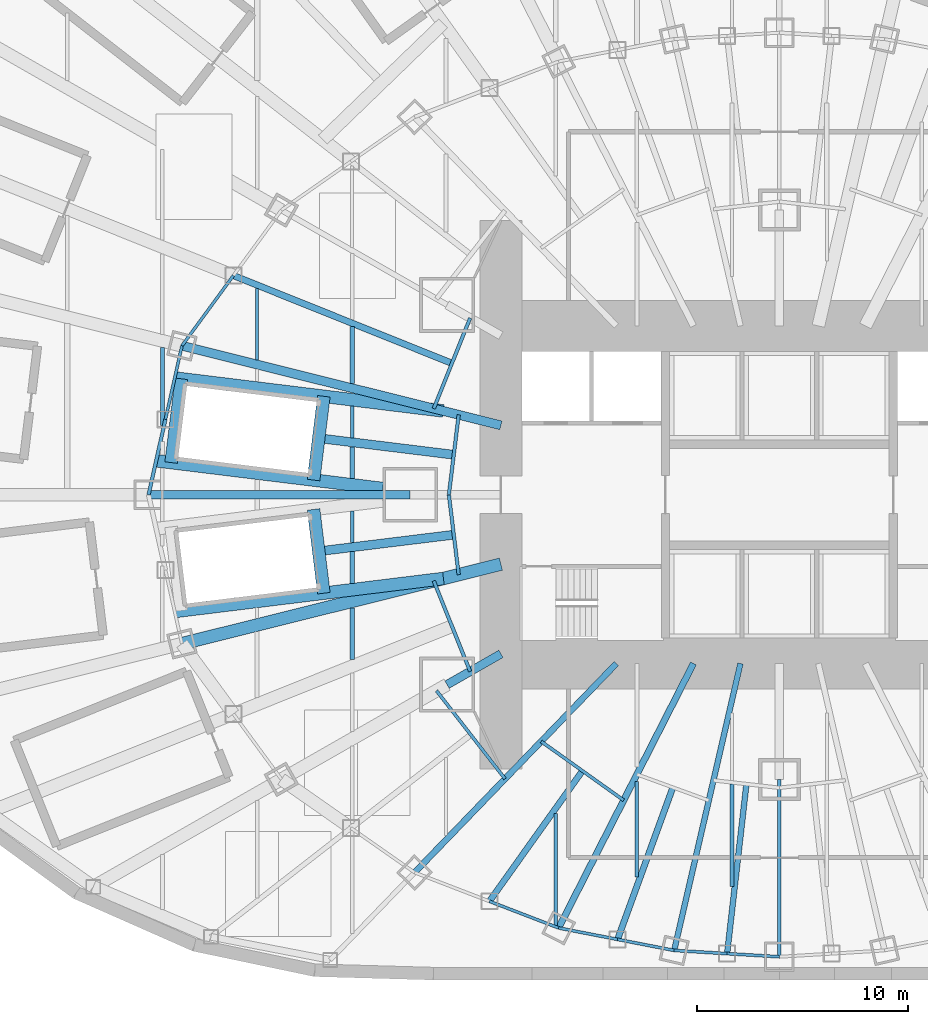
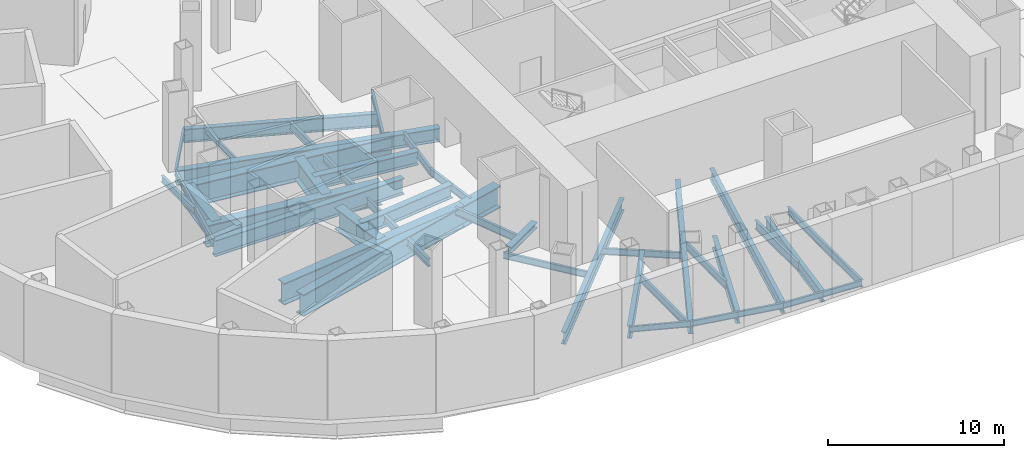
# One storey, part 3 of 19: 45 beams.
"""IFC4 building model written with IfcOpenShell, lengths in metres."""

from ifc_helpers import new_model, si_unit, direction, frame, origin, origin_2d, place, context, subcontext, project, spatial, i_section, extrude, material, material_profile, profile_set, type_object, element, save


model = new_model("IFC4")

# Units and contexts
model_context = context("Model", 3, precision=1e-05, world=origin(), true_north=direction((0.0, 1.0)))
body_context = subcontext(model_context, "Body", "Model", "MODEL_VIEW")
ifc_project = project(units=[si_unit("LENGTHUNIT", "METRE"), si_unit("AREAUNIT", "SQUARE_METRE"), si_unit("VOLUMEUNIT", "CUBIC_METRE"), si_unit("PLANEANGLEUNIT", "RADIAN"), si_unit("MASSUNIT", "GRAM", prefix="KILO")], contexts=[model_context])

# Site, building, storey
site_placement = place(None, origin())
site = spatial("IfcSite", under=ifc_project, at=site_placement, CompositionType="ELEMENT")
building_placement = place(site_placement, origin())
building = spatial("IfcBuilding", under=site, at=building_placement, Name="Lantaw Convention Tower", CompositionType="ELEMENT")
storey_placement = place(building_placement, frame((0.0, 0.0, -5.5)))
storey = spatial("IfcBuildingStorey", under=building, at=storey_placement, Name="B1", CompositionType="ELEMENT", Elevation=-5.5)

# Beams
ifc_material_1 = material(Name="Steel ASTM A992", Category="steel")
ifc_material_profile_1 = material_profile(ifc_material_1, i_section(OverallWidth=0.140380859375, OverallDepth=0.40380859375, WebThickness=0.007080078125, FlangeThickness=0.01123046875, FilletRadius=0.01025390625, at=origin_2d()), Name="W16X31")
ifc_profile_set_1 = profile_set([ifc_material_profile_1], Name="Steel ASTM A992")
beam_type_1 = type_object("IfcBeamType", Name="Beam E W16X31", PredefinedType="SPANDREL", material=ifc_profile_set_1)
beam_1_placement = place(storey_placement, frame((-25.8779296875, 10.388427734375, -0.501953125), z_axis=(-0.591255937291, -0.806483984105, 0.0), x_axis=(0.806483984105, -0.591255937291, 0.0)))
element("IfcBeam", 1, at=beam_1_placement, inside=storey, type_object=beam_type_1, Name="Edge beam 11", PredefinedType="SPANDREL", context=body_context, shape_type="SweptSolid", body=[
    extrude(i_section(OverallWidth=0.140380859375, OverallDepth=0.40380859375, WebThickness=0.007080078125, FlangeThickness=0.01123046875, FilletRadius=0.01025390625, at=origin_2d()), origin(), (0.0, 0.0, 1.0), 4.126708984375),
])
beam_2_placement = place(storey_placement, frame((-28.31787109375, 7.060302734375, -0.501953125), z_axis=(-0.218673326171, -0.97579812278, 0.0), x_axis=(0.97579812278, -0.218673326171, 0.0)))
element("IfcBeam", 2, at=beam_2_placement, inside=storey, type_object=beam_type_1, Name="Edge beam 12", PredefinedType="SPANDREL", context=body_context, shape_type="SweptSolid", body=[
    extrude(i_section(OverallWidth=0.140380859375, OverallDepth=0.40380859375, WebThickness=0.007080078125, FlangeThickness=0.01123046875, FilletRadius=0.01025390625, at=origin_2d()), origin(), (0.0, 0.0, 1.0), 3.57373046875),
])
beam_3_placement = place(storey_placement, frame((-13.745361328125, -19.270263671875, -0.501953125), z_axis=(0.933241815012, -0.359248820058, 0.0), x_axis=(0.359248820058, 0.933241815012, 0.0)))
element("IfcBeam", 3, at=beam_3_placement, inside=storey, type_object=beam_type_1, Name="Edge beam 16", PredefinedType="SPANDREL", context=body_context, shape_type="SweptSolid", body=[
    extrude(i_section(OverallWidth=0.140380859375, OverallDepth=0.40380859375, WebThickness=0.007080078125, FlangeThickness=0.01123046875, FilletRadius=0.01025390625, at=origin_2d()), origin(), (0.0, 0.0, 1.0), 3.517578125),
])
beam_4_placement = place(storey_placement, frame((-10.462646484375, -20.533935546875, -0.501953125), z_axis=(0.98163593748, -0.190763954266, 0.0), x_axis=(0.190763954266, 0.98163593748, 0.0)))
element("IfcBeam", 4, at=beam_4_placement, inside=storey, type_object=beam_type_1, Name="Edge beam 17", PredefinedType="SPANDREL", context=body_context, shape_type="SweptSolid", body=[
    extrude(i_section(OverallWidth=0.140380859375, OverallDepth=0.40380859375, WebThickness=0.007080078125, FlangeThickness=0.01123046875, FilletRadius=0.01025390625, at=origin_2d()), origin(), (0.0, 0.0, 1.0), 2.84375),
])
beam_5_placement = place(storey_placement, frame((-7.671142578125, -21.076416015625, -0.501953125), z_axis=(0.981637218105, -0.190757364289, 0.0), x_axis=(0.190757364289, 0.981637218105, 0.0)))
element("IfcBeam", 5, at=beam_5_placement, inside=storey, type_object=beam_type_1, Name="Edge beam 17", PredefinedType="SPANDREL", context=body_context, shape_type="SweptSolid", body=[
    extrude(i_section(OverallWidth=0.140380859375, OverallDepth=0.40380859375, WebThickness=0.007080078125, FlangeThickness=0.01123046875, FilletRadius=0.01025390625, at=origin_2d()), origin(), (0.0, 0.0, 1.0), 2.735107421875),
])
beam_6_placement = place(storey_placement, frame((-4.986328125, -21.59814453125, -0.501953125), z_axis=(0.998172405641, -0.060430527186, 0.0), x_axis=(0.060430527186, 0.998172405641, 0.0)))
element("IfcBeam", 6, at=beam_6_placement, inside=storey, type_object=beam_type_1, Name="Edge beam 18", PredefinedType="SPANDREL", context=body_context, shape_type="SweptSolid", body=[
    extrude(i_section(OverallWidth=0.140380859375, OverallDepth=0.40380859375, WebThickness=0.007080078125, FlangeThickness=0.01123046875, FilletRadius=0.01025390625, at=origin_2d()), origin(), (0.0, 0.0, 1.0), 2.512939453125),
])
beam_7_placement = place(storey_placement, frame((-2.47802734375, -21.75, -0.501953125), z_axis=(0.998175328335, -0.060382231685, 0.0), x_axis=(0.060382231685, 0.998175328335, 0.0)))
element("IfcBeam", 7, at=beam_7_placement, inside=storey, type_object=beam_type_1, Name="Edge beam 18", PredefinedType="SPANDREL", context=body_context, shape_type="SweptSolid", body=[
    extrude(i_section(OverallWidth=0.140380859375, OverallDepth=0.40380859375, WebThickness=0.007080078125, FlangeThickness=0.01123046875, FilletRadius=0.01025390625, at=origin_2d()), origin(), (0.0, 0.0, 1.0), 2.482666015625),
])
ifc_material_profile_2 = material_profile(ifc_material_1, i_section(OverallWidth=0.165771484375, OverallDepth=0.5283203125, WebThickness=0.009765625, FlangeThickness=0.013671875, FilletRadius=0.012939453125, at=origin_2d()), Name="W21X50")
ifc_profile_set_2 = profile_set([ifc_material_profile_2], Name="Steel ASTM A992")
beam_type_2 = type_object("IfcBeamType", Name="Beam E W21X50", PredefinedType="SPANDREL", material=ifc_profile_set_2)
beam_8_placement = place(storey_placement, frame((-29.099365234375, 3.572998046875, -0.564208984375), z_axis=(-0.218631550323, -0.975807483679, 0.0), x_axis=(0.975807483679, -0.218631550323, 0.0)))
element("IfcBeam", 8, at=beam_8_placement, inside=storey, type_object=beam_type_2, Name="Edge beam 12", PredefinedType="SPANDREL", context=body_context, shape_type="SweptSolid", body=[
    extrude(i_section(OverallWidth=0.165771484375, OverallDepth=0.5283203125, WebThickness=0.009765625, FlangeThickness=0.013671875, FilletRadius=0.012939453125, at=origin_2d()), origin(), (0.0, 0.0, 1.0), 3.66162109375),
])
ifc_material_2 = material(Name="Steel ASTM A572 Grade 50", Category="steel")
ifc_material_profile_3 = material_profile(ifc_material_2, i_section(OverallWidth=0.60009765625, OverallDepth=1.5, WebThickness=0.02490234375, FlangeThickness=0.06005859375, at=origin_2d()), Name="PG1500X600X25X60")
ifc_profile_set_3 = profile_set([ifc_material_profile_3], Name="Steel ASTM A572 Grade 50")
beam_type_3 = type_object("IfcBeamType", Name="Beam G PG1500X600X25X60", PredefinedType="BEAM", material=ifc_profile_set_3)
beam_9_placement = place(storey_placement, frame((-13.199951171875, -3.291015625, -1.050048828125), z_axis=(-0.970296233567, -0.241919860957, 0.0), x_axis=(0.241919860957, -0.970296233567, 0.0)))
element("IfcBeam", 9, at=beam_9_placement, inside=storey, type_object=beam_type_3, Name="Floor girder on ray 14", PredefinedType="BEAM", context=body_context, shape_type="SweptSolid", body=[
    extrude(i_section(OverallWidth=0.60009765625, OverallDepth=1.5, WebThickness=0.02490234375, FlangeThickness=0.06005859375, at=origin_2d()), origin(), (0.0, 0.0, 1.0), 15.580810546875),
])
ifc_material_profile_4 = material_profile(ifc_material_1, i_section(OverallWidth=0.1650390625, OverallDepth=0.52587890625, WebThickness=0.0087890625, FlangeThickness=0.011474609375, FilletRadius=0.0126953125, at=origin_2d()), Name="W21X44")
ifc_profile_set_4 = profile_set([ifc_material_profile_4], Name="Steel ASTM A992")
beam_type_4 = type_object("IfcBeamType", Name="Beam G W21X44", PredefinedType="BEAM", material=ifc_profile_set_4)
beam_10_placement = place(storey_placement, frame((0.0, -13.5, -0.56298828125), z_axis=(0.0, -1.0, 0.0), x_axis=(1.0, 0.0, 0.0)))
element("IfcBeam", 10, at=beam_10_placement, inside=storey, type_object=beam_type_4, Name="Floor girder on ray 19", PredefinedType="BEAM", context=body_context, shape_type="SweptSolid", body=[
    extrude(i_section(OverallWidth=0.1650390625, OverallDepth=0.52587890625, WebThickness=0.0087890625, FlangeThickness=0.011474609375, FilletRadius=0.0126953125, at=origin_2d()), origin(), (0.0, 0.0, 1.0), 8.39990234375),
])
ifc_material_profile_5 = material_profile(ifc_material_1, i_section(OverallWidth=0.2666015625, OverallDepth=0.76953125, WebThickness=0.015625, FlangeThickness=0.025390625, FilletRadius=0.0126953125, at=origin_2d()), Name="W30X132")
ifc_profile_set_5 = profile_set([ifc_material_profile_5], Name="Steel ASTM A992")
beam_type_5 = type_object("IfcBeamType", Name="Beam G W30X132", PredefinedType="BEAM", material=ifc_profile_set_5)
beam_11_placement = place(storey_placement, frame((-1.846923828125, -8.0, -0.684814453125), z_axis=(-0.224952773175, -0.97436966796, 0.0), x_axis=(0.97436966796, -0.224952773175, 0.0)))
element("IfcBeam", 11, at=beam_11_placement, inside=storey, type_object=beam_type_5, Name="Floor girder on ray 18", PredefinedType="BEAM", context=body_context, shape_type="SweptSolid", body=[
    extrude(i_section(OverallWidth=0.2666015625, OverallDepth=0.76953125, WebThickness=0.015625, FlangeThickness=0.025390625, FilletRadius=0.0126953125, at=origin_2d()), origin(), (0.0, 0.0, 1.0), 13.955810546875),
])
beam_12_placement = place(storey_placement, frame((-1.5625, -13.713134765625, -0.684814453125), z_axis=(-0.113183957156, -0.993574049501, 0.0), x_axis=(0.993574049501, -0.113183957156, 0.0)))
element("IfcBeam", 12, at=beam_12_placement, inside=storey, type_object=beam_type_5, Name="Floor girder on bisector 18", PredefinedType="BEAM", context=body_context, shape_type="SweptSolid", body=[
    extrude(i_section(OverallWidth=0.2666015625, OverallDepth=0.76953125, WebThickness=0.015625, FlangeThickness=0.025390625, FilletRadius=0.0126953125, at=origin_2d()), origin(), (0.0, 0.0, 1.0), 8.0888671875),
])
ifc_material_profile_6 = material_profile(ifc_material_1, i_section(OverallWidth=0.2919921875, OverallDepth=0.845703125, WebThickness=0.015380859375, FlangeThickness=0.0244140625, FilletRadius=0.01513671875, at=origin_2d()), Name="W33X141")
ifc_profile_set_6 = profile_set([ifc_material_profile_6], Name="Steel ASTM A992")
beam_type_6 = type_object("IfcBeamType", Name="Beam G W33X141", PredefinedType="BEAM", material=ifc_profile_set_6)
beam_13_placement = place(storey_placement, frame((-7.7255859375, -8.0, -0.722900390625), z_axis=(-0.694649884291, -0.719347995239, 0.0), x_axis=(0.719347995239, -0.694649884291, 0.0)))
element("IfcBeam", 13, at=beam_13_placement, inside=storey, type_object=beam_type_6, Name="Floor girder on ray 16", PredefinedType="BEAM", context=body_context, shape_type="SweptSolid", body=[
    extrude(i_section(OverallWidth=0.2919921875, OverallDepth=0.845703125, WebThickness=0.015380859375, FlangeThickness=0.0244140625, FilletRadius=0.01513671875, at=origin_2d()), origin(), (0.0, 0.0, 1.0), 13.769775390625),
])
beam_14_placement = place(storey_placement, frame((-9.335693359375, -13.088134765625, -0.722900390625), z_axis=(-0.580702805158, -0.814115625745, 0.0), x_axis=(0.814115625745, -0.580702805158, 0.0)))
element("IfcBeam", 14, at=beam_14_placement, inside=storey, type_object=beam_type_6, Name="Floor girder on bisector 16", PredefinedType="BEAM", context=body_context, shape_type="SweptSolid", body=[
    extrude(i_section(OverallWidth=0.2919921875, OverallDepth=0.845703125, WebThickness=0.015380859375, FlangeThickness=0.0244140625, FilletRadius=0.01513671875, at=origin_2d()), origin(), (0.0, 0.0, 1.0), 7.59375),
])
beam_15_placement = place(storey_placement, frame((-5.04931640625, -13.873046875, -0.722900390625), z_axis=(-0.342021781151, -0.939692024664, 0.0), x_axis=(0.939692024664, -0.342021781151, 0.0)))
element("IfcBeam", 15, at=beam_15_placement, inside=storey, type_object=beam_type_6, Name="Floor girder on bisector 17", PredefinedType="BEAM", context=body_context, shape_type="SweptSolid", body=[
    extrude(i_section(OverallWidth=0.2919921875, OverallDepth=0.845703125, WebThickness=0.015380859375, FlangeThickness=0.0244140625, FilletRadius=0.01513671875, at=origin_2d()), origin(), (0.0, 0.0, 1.0), 7.665771484375),
])
ifc_material_profile_7 = material_profile(ifc_material_1, i_section(OverallWidth=0.307373046875, OverallDepth=0.922119140625, WebThickness=0.018310546875, FlangeThickness=0.030029296875, FilletRadius=0.0126953125, at=origin_2d()), Name="W36X182")
ifc_profile_set_7 = profile_set([ifc_material_profile_7], Name="Steel ASTM A992")
beam_type_7 = type_object("IfcBeamType", Name="Beam G W36X182", PredefinedType="BEAM", material=ifc_profile_set_7)
beam_16_placement = place(storey_placement, frame((-4.076171875, -8.0, -0.760986328125), z_axis=(-0.453997016122, -0.891003203896, 0.0), x_axis=(0.891003203896, -0.453997016122, 0.0)))
element("IfcBeam", 16, at=beam_16_placement, inside=storey, type_object=beam_type_7, Name="Floor girder on ray 17", PredefinedType="BEAM", context=body_context, shape_type="SweptSolid", body=[
    extrude(i_section(OverallWidth=0.307373046875, OverallDepth=0.922119140625, WebThickness=0.018310546875, FlangeThickness=0.030029296875, FilletRadius=0.0126953125, at=origin_2d()), origin(), (0.0, 0.0, 1.0), 14.067138671875),
])
ifc_material_profile_8 = material_profile(ifc_material_1, i_section(OverallWidth=0.307373046875, OverallDepth=0.9423828125, WebThickness=0.022216796875, FlangeThickness=0.039794921875, FilletRadius=0.0126953125, at=origin_2d()), Name="W36X232")
ifc_profile_set_8 = profile_set([ifc_material_profile_8], Name="Steel ASTM A992")
beam_type_8 = type_object("IfcBeamType", Name="Beam G W36X232", PredefinedType="BEAM", material=ifc_profile_set_8)
beam_17_placement = place(storey_placement, frame((-15.52001953125, 6.23046875, -0.771240234375), z_axis=(-0.928018900171, 0.372533113864, 0.0), x_axis=(-0.372533113864, -0.928018900171, 0.0)))
element("IfcBeam", 17, at=beam_17_placement, inside=storey, type_object=beam_type_8, Name="Floor girder on bisector 11", PredefinedType="BEAM", context=body_context, shape_type="SweptSolid", body=[
    extrude(i_section(OverallWidth=0.307373046875, OverallDepth=0.9423828125, WebThickness=0.022216796875, FlangeThickness=0.039794921875, FilletRadius=0.0126953125, at=origin_2d()), origin(), (0.0, 0.0, 1.0), 11.161376953125),
])
ifc_material_profile_9 = material_profile(ifc_material_1, i_section(OverallWidth=0.421630859375, OverallDepth=0.937255859375, WebThickness=0.0224609375, FlangeThickness=0.039794921875, FilletRadius=0.02001953125, at=origin_2d()), Name="W36X282")
ifc_profile_set_9 = profile_set([ifc_material_profile_9], Name="Steel ASTM A992")
beam_type_9 = type_object("IfcBeamType", Name="Beam G W36X282", PredefinedType="BEAM", material=ifc_profile_set_9)
for number, where, z_axis, x_axis, name in (
    (18, (-15.433349609375, 1.89501953125, -0.7685546875), (-0.992546266594, 0.121868407185, 0.0), (-0.121868407185, -0.992546266594, 0.0), "Floor girder on bisector 12"),
    (19, (-15.433349609375, -1.89501953125, -0.7685546875), (-0.992546266594, -0.121868407185, 0.0), (0.121868407185, -0.992546266594, 0.0), "Floor girder on bisector 13"),
):
    element("IfcBeam", number, at=place(storey_placement, frame(where, z_axis=z_axis, x_axis=x_axis)), inside=storey, type_object=beam_type_9, Name=name, PredefinedType="BEAM", context=body_context, shape_type="SweptSolid", body=[
        extrude(i_section(OverallWidth=0.421630859375, OverallDepth=0.937255859375, WebThickness=0.0224609375, FlangeThickness=0.039794921875, FilletRadius=0.02001953125, at=origin_2d()), origin(), (0.0, 0.0, 1.0), 6.45068359375),
    ])
ifc_material_profile_10 = material_profile(ifc_material_1, i_section(OverallWidth=0.424072265625, OverallDepth=0.947509765625, WebThickness=0.02392578125, FlangeThickness=0.042724609375, FilletRadius=0.012451171875, at=origin_2d()), Name="W36X302")
ifc_profile_set_10 = profile_set([ifc_material_profile_10], Name="Steel ASTM A992")
beam_type_10 = type_object("IfcBeamType", Name="Beam G W36X302", PredefinedType="BEAM", material=ifc_profile_set_10)
beam_18_placement = place(storey_placement, frame((-13.199951171875, 3.291015625, -0.773681640625), z_axis=(-0.970296233567, 0.241919860957, 0.0), x_axis=(-0.241919860957, -0.970296233567, 0.0)))
element("IfcBeam", 20, at=beam_18_placement, inside=storey, type_object=beam_type_10, Name="Floor girder on ray 12", PredefinedType="BEAM", context=body_context, shape_type="SweptSolid", body=[
    extrude(i_section(OverallWidth=0.424072265625, OverallDepth=0.947509765625, WebThickness=0.02392578125, FlangeThickness=0.042724609375, FilletRadius=0.012451171875, at=origin_2d()), origin(), (0.0, 0.0, 1.0), 15.580810546875),
])
ifc_material_profile_11 = material_profile(ifc_material_1, i_section(OverallWidth=0.40380859375, OverallDepth=1.11767578125, WebThickness=0.026123046875, FlangeThickness=0.044921875, FilletRadius=0.02001953125, at=origin_2d()), Name="W44X335")
ifc_profile_set_11 = profile_set([ifc_material_profile_11], Name="Steel ASTM A992")
beam_type_11 = type_object("IfcBeamType", Name="Beam G W44X335", PredefinedType="BEAM", material=ifc_profile_set_11)
beam_19_placement = place(storey_placement, frame((-17.5, 0.0, -0.85888671875), z_axis=(-1.0, 0.0, 0.0), x_axis=(0.0, -1.0, 0.0)))
element("IfcBeam", 21, at=beam_19_placement, inside=storey, type_object=beam_type_11, Name="Floor girder on ray 13", PredefinedType="BEAM", context=body_context, shape_type="SweptSolid", body=[
    extrude(i_section(OverallWidth=0.40380859375, OverallDepth=1.11767578125, WebThickness=0.026123046875, FlangeThickness=0.044921875, FilletRadius=0.02001953125, at=origin_2d()), origin(), (0.0, 0.0, 1.0), 12.39990234375),
])
ifc_material_profile_12 = material_profile(ifc_material_1, i_section(OverallWidth=0.40380859375, OverallDepth=0.406494140625, WebThickness=0.027099609375, FlangeThickness=0.043701171875, FilletRadius=0.01513671875, at=origin_2d()), Name="W14X233")
ifc_profile_set_12 = profile_set([ifc_material_profile_12], Name="Steel ASTM A992")
beam_type_12 = type_object("IfcBeamType", Name="Beam GM W14X233", PredefinedType="BEAM", material=ifc_profile_set_12)
beam_20_placement = place(storey_placement, frame((-13.199951171875, -7.54296875, -0.503173828125), z_axis=(-0.868263603466, -0.496103129295, 0.0), x_axis=(0.496103129295, -0.868263603466, 0.0)))
element("IfcBeam", 22, at=beam_20_placement, inside=storey, type_object=beam_type_12, Name="Core link beam on ray 15", PredefinedType="BEAM", context=body_context, shape_type="SweptSolid", body=[
    extrude(i_section(OverallWidth=0.40380859375, OverallDepth=0.406494140625, WebThickness=0.027099609375, FlangeThickness=0.043701171875, FilletRadius=0.01513671875, at=origin_2d()), origin(), (0.0, 0.0, 1.0), 2.93701171875),
])
ifc_material_profile_13 = material_profile(ifc_material_1, i_section(OverallWidth=0.15234375, OverallDepth=0.449462890625, WebThickness=0.007568359375, FlangeThickness=0.0107421875, FilletRadius=0.01025390625, at=origin_2d()), Name="W18X35")
ifc_profile_set_13 = profile_set([ifc_material_profile_13], Name="Steel ASTM A992")
beam_type_13 = type_object("IfcBeamType", Name="Beam HC W18X35", PredefinedType="BEAM", material=ifc_profile_set_13)
beam_21_placement = place(storey_placement, frame((-16.2529296875, -9.287353515625, -0.52490234375), z_axis=(0.613915067401, -0.789372085913, 0.0), x_axis=(0.789372085913, 0.613915067401, 0.0)))
element("IfcBeam", 23, at=beam_21_placement, inside=storey, type_object=beam_type_13, Name="Collar beam on bisector 15", PredefinedType="BEAM", context=body_context, shape_type="SweptSolid", body=[
    extrude(i_section(OverallWidth=0.15234375, OverallDepth=0.449462890625, WebThickness=0.007568359375, FlangeThickness=0.0107421875, FilletRadius=0.01025390625, at=origin_2d()), origin(), (0.0, 0.0, 1.0), 5.293212890625),
])
beam_22_placement = place(storey_placement, frame((-11.291748046875, -11.69287109375, -0.52490234375), z_axis=(0.814110909588, -0.580709416912, 0.0), x_axis=(0.580709416912, 0.814110909588, 0.0)))
element("IfcBeam", 24, at=beam_22_placement, inside=storey, type_object=beam_type_13, Name="Collar beam on bisector 16", PredefinedType="BEAM", context=body_context, shape_type="SweptSolid", body=[
    extrude(i_section(OverallWidth=0.15234375, OverallDepth=0.449462890625, WebThickness=0.007568359375, FlangeThickness=0.0107421875, FilletRadius=0.01025390625, at=origin_2d()), origin(), (0.0, 0.0, 1.0), 4.805419921875),
])
ifc_material_profile_14 = material_profile(ifc_material_1, i_section(OverallWidth=0.1650390625, OverallDepth=0.52587890625, WebThickness=0.0087890625, FlangeThickness=0.011474609375, FilletRadius=0.0126953125, at=origin_2d()), Name="W21X44")
ifc_profile_set_14 = profile_set([ifc_material_profile_14], Name="Steel ASTM A992")
beam_type_14 = type_object("IfcBeamType", Name="Beam HC W21X44", PredefinedType="BEAM", material=ifc_profile_set_14)
beam_23_placement = place(storey_placement, frame((-14.658447265625, 8.376220703125, -0.56298828125), z_axis=(-0.372591792929, -0.927995342576, 0.0), x_axis=(0.927995342576, -0.372591792929, 0.0)))
element("IfcBeam", 25, at=beam_23_placement, inside=storey, type_object=beam_type_14, Name="Collar beam on bisector 11", PredefinedType="BEAM", context=body_context, shape_type="SweptSolid", body=[
    extrude(i_section(OverallWidth=0.1650390625, OverallDepth=0.52587890625, WebThickness=0.0087890625, FlangeThickness=0.011474609375, FilletRadius=0.0126953125, at=origin_2d()), origin(), (0.0, 0.0, 1.0), 4.624755859375),
])
for number, where, z_axis, x_axis, name in (
    (26, (-15.200439453125, 3.7900390625, -0.56298828125), (-0.121925556924, -0.992539247873, 0.0), (0.992539247873, -0.121925556924, 0.0), "Collar beam on bisector 12"),
    (27, (-15.666015625, 0.0, -0.56298828125), (0.121925556924, -0.992539247873, 0.0), (0.992539247873, 0.121925556924, 0.0), "Collar beam on bisector 13"),
):
    element("IfcBeam", number, at=place(storey_placement, frame(where, z_axis=z_axis, x_axis=x_axis)), inside=storey, type_object=beam_type_14, Name=name, PredefinedType="BEAM", context=body_context, shape_type="SweptSolid", body=[
        extrude(i_section(OverallWidth=0.1650390625, OverallDepth=0.52587890625, WebThickness=0.0087890625, FlangeThickness=0.011474609375, FilletRadius=0.0126953125, at=origin_2d()), origin(), (0.0, 0.0, 1.0), 3.818603515625),
    ])
beam_24_placement = place(storey_placement, frame((-16.381591796875, -4.08447265625, -0.56298828125), z_axis=(0.372591792929, -0.927995342576, 0.0), x_axis=(0.927995342576, 0.372591792929, 0.0)))
element("IfcBeam", 28, at=beam_24_placement, inside=storey, type_object=beam_type_14, Name="Collar beam on bisector 14", PredefinedType="BEAM", context=body_context, shape_type="SweptSolid", body=[
    extrude(i_section(OverallWidth=0.1650390625, OverallDepth=0.52587890625, WebThickness=0.0087890625, FlangeThickness=0.011474609375, FilletRadius=0.0126953125, at=origin_2d()), origin(), (0.0, 0.0, 1.0), 4.624755859375),
])
ifc_material_profile_15 = material_profile(ifc_material_1, i_section(OverallWidth=0.140380859375, OverallDepth=0.40380859375, WebThickness=0.007080078125, FlangeThickness=0.01123046875, FilletRadius=0.01025390625, at=origin_2d()), Name="W16X31")
ifc_profile_set_15 = profile_set([ifc_material_profile_15], Name="Steel ASTM A992")
beam_type_15 = type_object("IfcBeamType", Name="Beam J W16X31", PredefinedType="JOIST", material=ifc_profile_set_15)
beam_25_placement = place(storey_placement, frame((-24.75, 6.389404296875, -0.501953125), z_axis=(0.0, 1.0, 0.0), x_axis=(-1.0, 0.0, 0.0)))
element("IfcBeam", 29, at=beam_25_placement, inside=storey, type_object=beam_type_15, Name="Floor joist", PredefinedType="JOIST", context=body_context, shape_type="SweptSolid", body=[
    extrude(i_section(OverallWidth=0.140380859375, OverallDepth=0.40380859375, WebThickness=0.007080078125, FlangeThickness=0.01123046875, FilletRadius=0.01025390625, at=origin_2d()), origin(), (0.0, 0.0, 1.0), 3.380615234375),
])
ifc_material_profile_16 = material_profile(ifc_material_1, i_section(OverallWidth=0.1904296875, OverallDepth=0.457275390625, WebThickness=0.009033203125, FlangeThickness=0.014404296875, FilletRadius=0.01025390625, at=origin_2d()), Name="W18X50")
ifc_profile_set_16 = profile_set([ifc_material_profile_16], Name="Steel ASTM A992")
beam_type_16 = type_object("IfcBeamType", Name="Beam J W18X50", PredefinedType="JOIST", material=ifc_profile_set_16)
beam_26_placement = place(storey_placement, frame((-29.25, 3.27978515625, -0.528564453125), z_axis=(0.0, 1.0, 0.0), x_axis=(-1.0, 0.0, 0.0)))
element("IfcBeam", 30, at=beam_26_placement, inside=storey, type_object=beam_type_16, Name="Floor joist", PredefinedType="JOIST", context=body_context, shape_type="SweptSolid", body=[
    extrude(i_section(OverallWidth=0.1904296875, OverallDepth=0.457275390625, WebThickness=0.009033203125, FlangeThickness=0.014404296875, FilletRadius=0.01025390625, at=origin_2d()), origin(), (0.0, 0.0, 1.0), 3.703857421875),
])
ifc_material_profile_17 = material_profile(ifc_material_1, i_section(OverallWidth=0.1650390625, OverallDepth=0.52587890625, WebThickness=0.0087890625, FlangeThickness=0.011474609375, FilletRadius=0.0126953125, at=origin_2d()), Name="W21X44")
ifc_profile_set_17 = profile_set([ifc_material_profile_17], Name="Steel ASTM A992")
beam_type_17 = type_object("IfcBeamType", Name="Beam J W21X44", PredefinedType="JOIST", material=ifc_profile_set_17)
beam_27_placement = place(storey_placement, frame((-20.25, 2.69873046875, -0.56298828125), z_axis=(0.0, 1.0, 0.0), x_axis=(-1.0, 0.0, 0.0)))
element("IfcBeam", 31, at=beam_27_placement, inside=storey, type_object=beam_type_17, Name="Floor joist", PredefinedType="JOIST", context=body_context, shape_type="SweptSolid", body=[
    extrude(i_section(OverallWidth=0.1650390625, OverallDepth=0.52587890625, WebThickness=0.0087890625, FlangeThickness=0.011474609375, FilletRadius=0.0126953125, at=origin_2d()), origin(), (0.0, 0.0, 1.0), 1.50048828125),
])
beam_28_placement = place(storey_placement, frame((-6.75, -18.118408203125, -0.56298828125), z_axis=(0.0, 1.0, 0.0), x_axis=(-1.0, 0.0, 0.0)))
element("IfcBeam", 32, at=beam_28_placement, inside=storey, type_object=beam_type_17, Name="Floor joist", PredefinedType="JOIST", context=body_context, shape_type="SweptSolid", body=[
    extrude(i_section(OverallWidth=0.1650390625, OverallDepth=0.52587890625, WebThickness=0.0087890625, FlangeThickness=0.011474609375, FilletRadius=0.0126953125, at=origin_2d()), origin(), (0.0, 0.0, 1.0), 4.52587890625),
])
ifc_material_profile_18 = material_profile(ifc_material_1, i_section(OverallWidth=0.165771484375, OverallDepth=0.5283203125, WebThickness=0.009765625, FlangeThickness=0.013671875, FilletRadius=0.012939453125, at=origin_2d()), Name="W21X50")
ifc_profile_set_18 = profile_set([ifc_material_profile_18], Name="Steel ASTM A992")
beam_type_18 = type_object("IfcBeamType", Name="Beam J W21X50", PredefinedType="JOIST", material=ifc_profile_set_18)
beam_29_placement = place(storey_placement, frame((-10.60009765625, -20.40576171875, -0.564208984375), z_axis=(0.0, 1.0, 0.0), x_axis=(-1.0, 0.0, 0.0)))
element("IfcBeam", 33, at=beam_29_placement, inside=storey, type_object=beam_type_18, Name="Floor joist", PredefinedType="JOIST", context=body_context, shape_type="SweptSolid", body=[
    extrude(i_section(OverallWidth=0.165771484375, OverallDepth=0.5283203125, WebThickness=0.009765625, FlangeThickness=0.013671875, FilletRadius=0.012939453125, at=origin_2d()), origin(), (0.0, 0.0, 1.0), 5.293701171875),
])
ifc_material_profile_19 = material_profile(ifc_material_1, i_section(OverallWidth=0.16650390625, OverallDepth=0.535888671875, WebThickness=0.01025390625, FlangeThickness=0.0166015625, FilletRadius=0.0126953125, at=origin_2d()), Name="W21X57")
ifc_profile_set_19 = profile_set([ifc_material_profile_19], Name="Steel ASTM A992")
beam_type_19 = type_object("IfcBeamType", Name="Beam J W21X57", PredefinedType="JOIST", material=ifc_profile_set_19)
beam_30_placement = place(storey_placement, frame((-20.25, -2.27392578125, -0.56787109375), z_axis=(0.0, 1.0, 0.0), x_axis=(-1.0, 0.0, 0.0)))
element("IfcBeam", 34, at=beam_30_placement, inside=storey, type_object=beam_type_19, Name="Floor joist", PredefinedType="JOIST", context=body_context, shape_type="SweptSolid", body=[
    extrude(i_section(OverallWidth=0.16650390625, OverallDepth=0.535888671875, WebThickness=0.01025390625, FlangeThickness=0.0166015625, FilletRadius=0.0126953125, at=origin_2d()), origin(), (0.0, 0.0, 1.0), 1.500244140625),
])
ifc_material_profile_20 = material_profile(ifc_material_1, i_section(OverallWidth=0.2099609375, OverallDepth=0.535888671875, WebThickness=0.010986328125, FlangeThickness=0.017333984375, FilletRadius=0.012939453125, at=origin_2d()), Name="W21X68")
ifc_profile_set_20 = profile_set([ifc_material_profile_20], Name="Steel ASTM A992")
beam_type_20 = type_object("IfcBeamType", Name="Beam J W21X68", PredefinedType="JOIST", material=ifc_profile_set_20)
beam_31_placement = place(storey_placement, frame((-20.25, -7.805908203125, -0.56787109375), z_axis=(0.0, 1.0, 0.0), x_axis=(-1.0, 0.0, 0.0)))
element("IfcBeam", 35, at=beam_31_placement, inside=storey, type_object=beam_type_20, Name="Floor joist", PredefinedType="JOIST", context=body_context, shape_type="SweptSolid", body=[
    extrude(i_section(OverallWidth=0.2099609375, OverallDepth=0.535888671875, WebThickness=0.010986328125, FlangeThickness=0.017333984375, FilletRadius=0.012939453125, at=origin_2d()), origin(), (0.0, 0.0, 1.0), 2.44775390625),
])
beam_32_placement = place(storey_placement, frame((-20.25, -4.19921875, -0.56787109375), z_axis=(0.0, 1.0, 0.0), x_axis=(-1.0, 0.0, 0.0)))
element("IfcBeam", 36, at=beam_32_placement, inside=storey, type_object=beam_type_20, Name="Floor joist", PredefinedType="JOIST", context=body_context, shape_type="SweptSolid", body=[
    extrude(i_section(OverallWidth=0.2099609375, OverallDepth=0.535888671875, WebThickness=0.010986328125, FlangeThickness=0.017333984375, FilletRadius=0.012939453125, at=origin_2d()), origin(), (0.0, 0.0, 1.0), 1.50048828125),
])
beam_33_placement = place(storey_placement, frame((-20.25, 0.773681640625, -0.56787109375), z_axis=(0.0, 1.0, 0.0), x_axis=(-1.0, 0.0, 0.0)))
element("IfcBeam", 37, at=beam_33_placement, inside=storey, type_object=beam_type_20, Name="Floor joist", PredefinedType="JOIST", context=body_context, shape_type="SweptSolid", body=[
    extrude(i_section(OverallWidth=0.2099609375, OverallDepth=0.535888671875, WebThickness=0.010986328125, FlangeThickness=0.017333984375, FilletRadius=0.012939453125, at=origin_2d()), origin(), (0.0, 0.0, 1.0), 1.500244140625),
])
beam_34_placement = place(storey_placement, frame((-20.25, 5.267578125, -0.56787109375), z_axis=(0.0, 1.0, 0.0), x_axis=(-1.0, 0.0, 0.0)))
element("IfcBeam", 38, at=beam_34_placement, inside=storey, type_object=beam_type_20, Name="Floor joist", PredefinedType="JOIST", context=body_context, shape_type="SweptSolid", body=[
    extrude(i_section(OverallWidth=0.2099609375, OverallDepth=0.535888671875, WebThickness=0.010986328125, FlangeThickness=0.017333984375, FilletRadius=0.012939453125, at=origin_2d()), origin(), (0.0, 0.0, 1.0), 2.696044921875),
])
ifc_material_profile_21 = material_profile(ifc_material_1, i_section(OverallWidth=0.177978515625, OverallDepth=0.599365234375, WebThickness=0.010009765625, FlangeThickness=0.012939453125, FilletRadius=0.012939453125, at=origin_2d()), Name="W24X55")
ifc_profile_set_21 = profile_set([ifc_material_profile_21], Name="Steel ASTM A992")
beam_type_21 = type_object("IfcBeamType", Name="Beam J W24X55", PredefinedType="JOIST", material=ifc_profile_set_21)
beam_35_placement = place(storey_placement, frame((-2.25, -18.570068359375, -0.599609375), z_axis=(0.0, 1.0, 0.0), x_axis=(-1.0, 0.0, 0.0)))
element("IfcBeam", 39, at=beam_35_placement, inside=storey, type_object=beam_type_21, Name="Floor joist", PredefinedType="JOIST", context=body_context, shape_type="SweptSolid", body=[
    extrude(i_section(OverallWidth=0.177978515625, OverallDepth=0.599365234375, WebThickness=0.010009765625, FlangeThickness=0.012939453125, FilletRadius=0.012939453125, at=origin_2d()), origin(), (0.0, 0.0, 1.0), 4.851806640625),
])
ifc_material_profile_22 = material_profile(ifc_material_2, i_section(OverallWidth=0.60009765625, OverallDepth=1.5, WebThickness=0.02490234375, FlangeThickness=0.06005859375, at=origin_2d()), Name="PG1500X600X25X60")
ifc_profile_set_22 = profile_set([ifc_material_profile_22], Name="Steel ASTM A572 Grade 50")
beam_type_22 = type_object("IfcBeamType", Name="Beam TR PG1500X600X25X60", PredefinedType="BEAM", material=ifc_profile_set_22)
beam_36_placement = place(storey_placement, frame((-18.800048828125, 0.293212890625, -1.050048828125), z_axis=(-0.992545610363, 0.121873751684, 0.0), x_axis=(-0.121873751684, -0.992545610363, 0.0)))
element("IfcBeam", 40, at=beam_36_placement, inside=storey, type_object=beam_type_22, Name="Opening trimmer beam", PredefinedType="BEAM", context=body_context, shape_type="SweptSolid", body=[
    extrude(i_section(OverallWidth=0.60009765625, OverallDepth=1.5, WebThickness=0.02490234375, FlangeThickness=0.06005859375, at=origin_2d()), origin(), (0.0, 0.0, 1.0), 10.8193359375),
])
beam_37_placement = place(storey_placement, frame((-28.659912109375, 5.533935546875, -1.050048828125), z_axis=(0.992547129643, -0.121861377959, 0.0), x_axis=(0.121861377959, 0.992547129643, 0.0)))
element("IfcBeam", 41, at=beam_37_placement, inside=storey, type_object=beam_type_22, Name="Opening trimmer beam", PredefinedType="BEAM", context=body_context, shape_type="SweptSolid", body=[
    extrude(i_section(OverallWidth=0.60009765625, OverallDepth=1.5, WebThickness=0.02490234375, FlangeThickness=0.06005859375, at=origin_2d()), origin(), (0.0, 0.0, 1.0), 12.83203125),
])
for number, where, z_axis, x_axis, name in (
    (42, (-21.59228515625, 4.666259765625, -1.050048828125), (-0.12188602716, -0.992544102991, 0.0), (0.992544102991, -0.12188602716, 0.0), "Opening header beam"),
    (43, (-28.8291015625, 1.524658203125, -1.050048828125), (0.12188602716, 0.992544102991, 0.0), (-0.992544102991, 0.12188602716, 0.0), "Opening header beam"),
):
    element("IfcBeam", number, at=place(storey_placement, frame(where, z_axis=z_axis, x_axis=x_axis)), inside=storey, type_object=beam_type_22, Name=name, PredefinedType="BEAM", context=body_context, shape_type="SweptSolid", body=[
        extrude(i_section(OverallWidth=0.60009765625, OverallDepth=1.5, WebThickness=0.02490234375, FlangeThickness=0.06005859375, at=origin_2d()), origin(), (0.0, 0.0, 1.0), 4.0),
    ])
beam_38_placement = place(storey_placement, frame((-15.923583984375, -3.97021484375, -1.050048828125), z_axis=(-0.992547129643, -0.121861377959, 0.0), x_axis=(0.121861377959, -0.992547129643, 0.0)))
element("IfcBeam", 44, at=beam_38_placement, inside=storey, type_object=beam_type_22, Name="Opening trimmer beam", PredefinedType="BEAM", context=body_context, shape_type="SweptSolid", body=[
    extrude(i_section(OverallWidth=0.60009765625, OverallDepth=1.5, WebThickness=0.02490234375, FlangeThickness=0.06005859375, at=origin_2d()), origin(), (0.0, 0.0, 1.0), 12.83203125),
])
beam_39_placement = place(storey_placement, frame((-22.079833984375, -0.696044921875, -1.050048828125), z_axis=(0.12188602716, -0.992544102991, 0.0), x_axis=(0.992544102991, 0.12188602716, 0.0)))
element("IfcBeam", 45, at=beam_39_placement, inside=storey, type_object=beam_type_22, Name="Opening header beam", PredefinedType="BEAM", context=body_context, shape_type="SweptSolid", body=[
    extrude(i_section(OverallWidth=0.60009765625, OverallDepth=1.5, WebThickness=0.02490234375, FlangeThickness=0.06005859375, at=origin_2d()), origin(), (0.0, 0.0, 1.0), 4.0),
])

save(model, "model.ifc")
